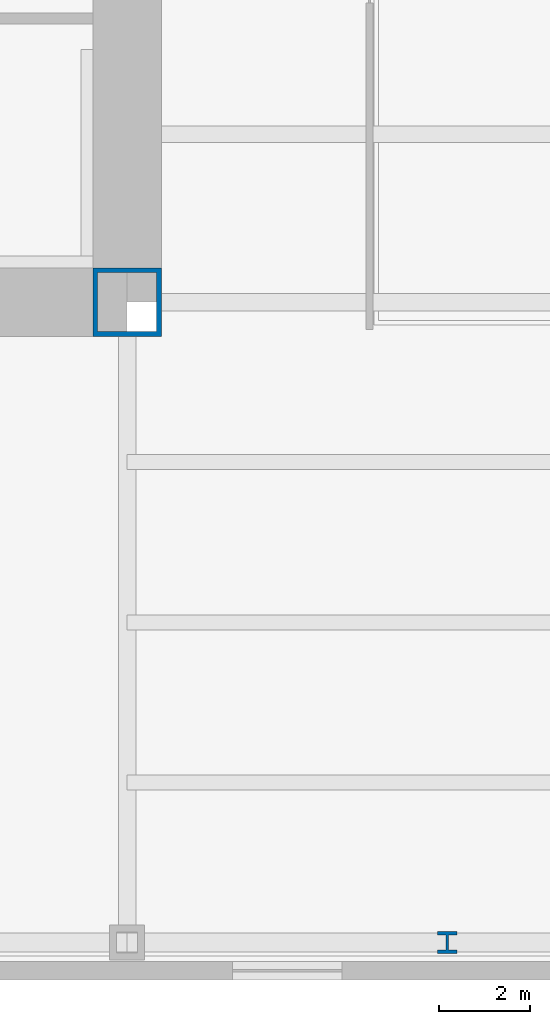
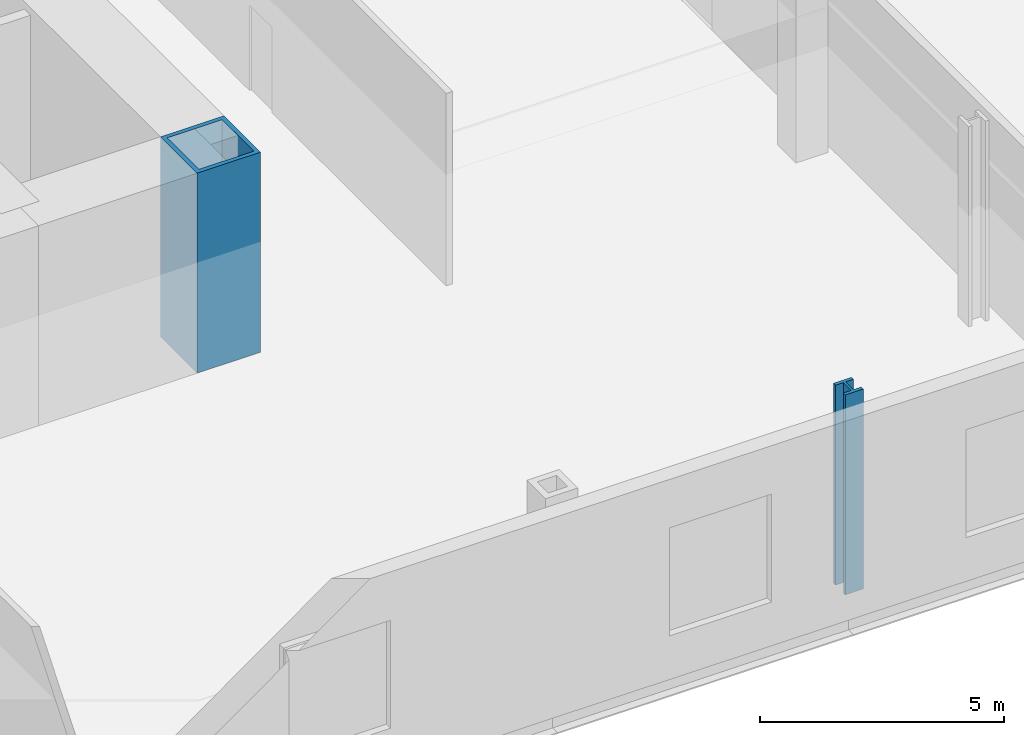
# One storey, part 2 of 13: 2 columns.
"""IFC4 building model written with IfcOpenShell, lengths in metres."""

from ifc_helpers import new_model, si_unit, direction, frame, origin, origin_2d, place, context, subcontext, project, spatial, hollow_rectangle, i_section, extrude, material, material_profile, profile_set, type_object, element, save


model = new_model("IFC4")

# Units and contexts
model_context = context("Model", 3, precision=1e-05, world=origin(), true_north=direction((0.0, 1.0)))
body_context = subcontext(model_context, "Body", "Model", "MODEL_VIEW")
ifc_project = project(units=[si_unit("LENGTHUNIT", "METRE"), si_unit("AREAUNIT", "SQUARE_METRE"), si_unit("VOLUMEUNIT", "CUBIC_METRE"), si_unit("PLANEANGLEUNIT", "RADIAN"), si_unit("MASSUNIT", "GRAM", prefix="KILO")], contexts=[model_context])

# Site, building, storey
site_placement = place(None, origin())
site = spatial("IfcSite", under=ifc_project, at=site_placement, CompositionType="ELEMENT")
building_placement = place(site_placement, origin())
building = spatial("IfcBuilding", under=site, at=building_placement, Name="Trevanion Tower", CompositionType="ELEMENT")
storey_placement = place(building_placement, frame((0.0, 0.0, 6.0)))
storey = spatial("IfcBuildingStorey", under=building, at=storey_placement, Name="L01", CompositionType="ELEMENT", Elevation=6.0)

# Columns
ifc_material_1 = material(Name="Steel ASTM A913 Grade 65", Category="steel")
ifc_material_profile_1 = material_profile(ifc_material_1, i_section(OverallWidth=0.4267578125, OverallDepth=0.482666015625, WebThickness=0.05126953125, FlangeThickness=0.08154296875, at=origin_2d()), Name="W14X455")
ifc_profile_set_1 = profile_set([ifc_material_profile_1], Name="Steel ASTM A913 Grade 65")
column_type_1 = type_object("IfcColumnType", Name="C2 W14X455", PredefinedType="COLUMN", material=ifc_profile_set_1)
column_1_placement = place(storey_placement, frame((18.0, -25.0, 0.0), z_axis=(0.0, 0.0, 1.0), x_axis=(1.0, 0.0, 0.0)))
element("IfcColumn", 1, at=column_1_placement, inside=storey, type_object=column_type_1, Name="C2 14/A L01", PredefinedType="COLUMN", context=body_context, shape_type="SweptSolid", body=[
    extrude(i_section(OverallWidth=0.4267578125, OverallDepth=0.482666015625, WebThickness=0.05126953125, FlangeThickness=0.08154296875, at=origin_2d()), origin(), (0.0, 0.0, 1.0), 5.0),
])
ifc_material_2 = material(Name="Steel ASTM A572 Grade 50", Category="steel")
ifc_material_profile_2 = material_profile(ifc_material_2, hollow_rectangle(XDim=1.49853515625, YDim=1.49853515625, WallThickness=0.1015625, at=origin_2d()), Name="BOX59X59X4")
ifc_profile_set_2 = profile_set([ifc_material_profile_2], Name="Steel ASTM A572 Grade 50")
column_type_2 = type_object("IfcColumnType", Name="CB1 BOX59X59X4", PredefinedType="COLUMN", material=ifc_profile_set_2)
column_2_placement = place(storey_placement, frame((11.0, -11.0, 0.0), z_axis=(0.0, 0.0, 1.0), x_axis=(1.0, 0.0, 0.0)))
element("IfcColumn", 2, at=column_2_placement, inside=storey, type_object=column_type_2, Name="CB1 SE L01", PredefinedType="COLUMN", context=body_context, shape_type="SweptSolid", body=[
    extrude(hollow_rectangle(XDim=1.49853515625, YDim=1.49853515625, WallThickness=0.1015625, at=origin_2d()), origin(), (0.0, 0.0, 1.0), 5.0),
])

save(model, "model.ifc")
